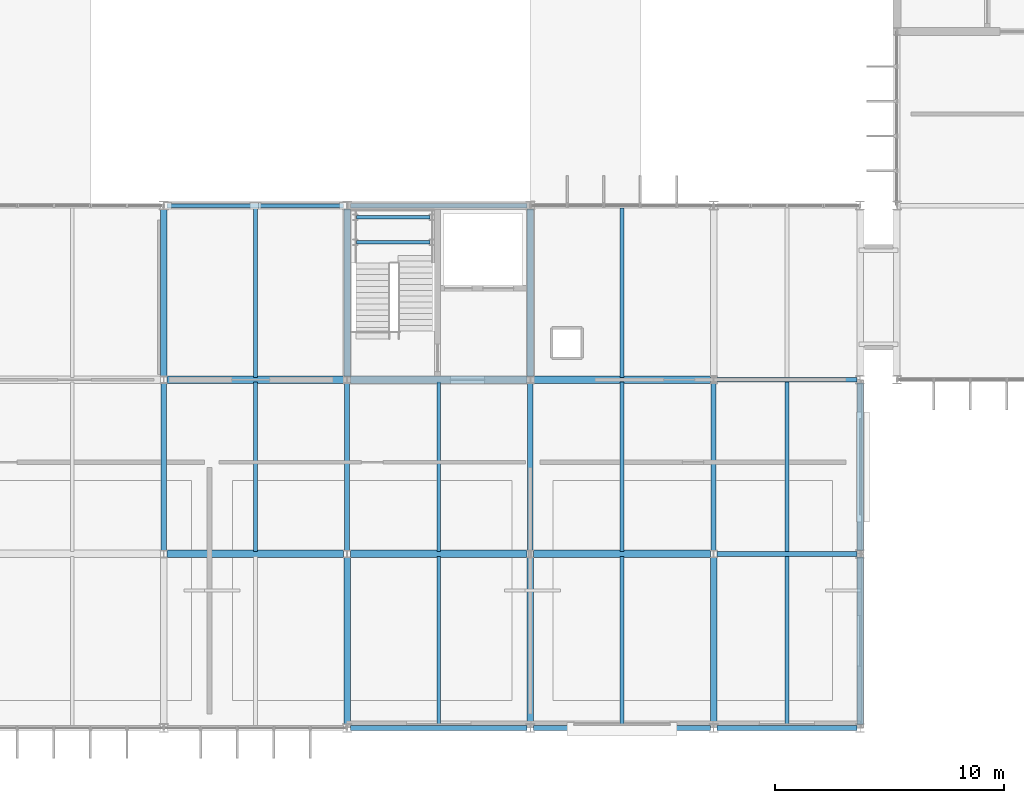
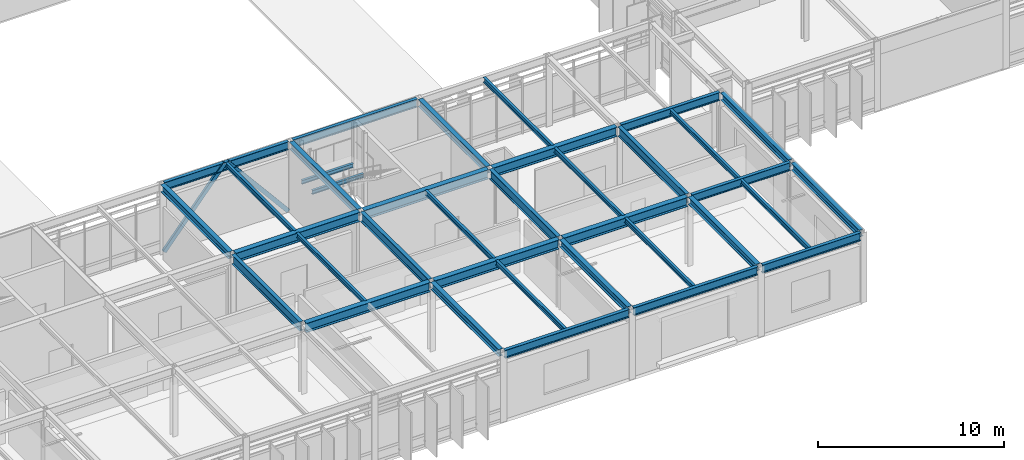
# One storey, part 29 of 100: 36 beams, 2 members.
"""IFC4 building model written with IfcOpenShell, lengths in metres."""

import ifcopenshell
import ifcopenshell.guid

model = None  # the IFC model being written
_history = None  # IfcOwnerHistory: only IFC2X3 demands one
_inside = {}  # id of a spatial element -> (the spatial element, [elements in it])
_under = {}  # id of a project, library or spatial element -> (it, [spatial elements below it])
_declared = {}  # id of a project -> (the project, [libraries it declares])
_typed = {}  # id of a type object -> (the type object, [elements of that type])
_made_of = {}  # id of a material, layer set ... -> (it, [elements and type objects made of it])


def new_model(schema):
    """Start an empty IFC model of exactly this schema.

    Asked for "IFC4X3", IfcOpenShell would pick the latest addendum, in which some entities
    have other attributes; the version numbers below select the first issue.
    IFC2X3 requires an IfcOwnerHistory on every rooted entity: one is made here for all.
    """
    global model, _history
    if schema == "IFC4X3":
        model = ifcopenshell.file(schema_version=(4, 3, 0, 0))
    else:
        model = ifcopenshell.file(schema=schema)
    _inside.clear()
    _under.clear()
    _declared.clear()
    _typed.clear()
    _made_of.clear()
    _history = None
    if model.schema == "IFC2X3":
        org = make("IfcOrganization", Name="unknown")
        user = make(
            "IfcPersonAndOrganization",
            ThePerson=make("IfcPerson", FamilyName="unknown"),
            TheOrganization=org,
        )
        app = make(
            "IfcApplication",
            ApplicationDeveloper=org,
            Version="unknown",
            ApplicationFullName="unknown",
            ApplicationIdentifier="unknown",
        )
        _history = make(
            "IfcOwnerHistory",
            OwningUser=user,
            OwningApplication=app,
            ChangeAction="ADDED",
            CreationDate=0,
        )
    return model


def make(cls, **values):
    """One entity of the class cls with the attributes given. An attribute that is None is left unset."""
    return model.create_entity(
        cls, **{name: value for name, value in values.items() if value is not None}
    )


def rooted(cls, **values):
    """An entity with a GlobalId (a new one), such as an element, a storey or a relation."""
    return make(cls, GlobalId=ifcopenshell.guid.new(), OwnerHistory=_history, **values)


def si_unit(unit_type, name, prefix=None):
    """IfcSIUnit, for example si_unit("LENGTHUNIT", "METRE", prefix="MILLI")."""
    return make("IfcSIUnit", UnitType=unit_type, Prefix=prefix, Name=name)


def assignment(units):
    """IfcUnitAssignment: the units of a project."""
    return None if units is None else make("IfcUnitAssignment", Units=units)


def point(xyz):
    """IfcCartesianPoint."""
    return None if xyz is None else make("IfcCartesianPoint", Coordinates=xyz)


def direction(xyz):
    """IfcDirection."""
    return None if xyz is None else make("IfcDirection", DirectionRatios=xyz)


def frame(location, z_axis=None, x_axis=None):
    """IfcAxis2Placement3D, a coordinate frame: its origin and axes. An axis left out is left unset."""
    return make(
        "IfcAxis2Placement3D",
        Location=point(location),
        Axis=direction(z_axis),
        RefDirection=direction(x_axis),
    )


def frame_2d(location, x_axis=None):
    """IfcAxis2Placement2D, a coordinate frame in the plane: its origin and x axis."""
    return make(
        "IfcAxis2Placement2D", Location=point(location), RefDirection=direction(x_axis)
    )


def origin():
    """The frame at (0, 0, 0) with its axes left unset."""
    return frame((0.0, 0.0, 0.0))


def origin_2d():
    """The frame at (0, 0) in the plane with its x axis left unset."""
    return frame_2d((0.0, 0.0))


def place(relative_to, where):
    """IfcLocalPlacement: puts the frame where relative to a parent placement (None: the world)."""
    return make(
        "IfcLocalPlacement", PlacementRelTo=relative_to, RelativePlacement=where
    )


def context(
    kind, dimensions, precision=None, world=None, true_north=None, identifier=None
):
    """IfcGeometricRepresentationContext, for example the 3D "Model" context."""
    return make(
        "IfcGeometricRepresentationContext",
        ContextIdentifier=identifier,
        ContextType=kind,
        CoordinateSpaceDimension=dimensions,
        Precision=precision,
        WorldCoordinateSystem=world,
        TrueNorth=true_north,
    )


def subcontext(parent, identifier, kind, view, scale=None):
    """IfcGeometricRepresentationSubContext, for example "Body" below "Model"."""
    return make(
        "IfcGeometricRepresentationSubContext",
        ContextIdentifier=identifier,
        ContextType=kind,
        ParentContext=parent,
        TargetScale=scale,
        TargetView=view,
    )


def project(units=None, contexts=None):
    """IfcProject with its units and contexts."""
    return rooted(
        "IfcProject",
        Name="project",
        RepresentationContexts=contexts,
        UnitsInContext=assignment(units),
    )


def spatial(cls, under=None, at=None, **own):
    """A site, building, storey or space (cls), placed at a placement, below another one or the project."""
    s = rooted(cls, ObjectPlacement=at, **own)
    if under is not None:
        _under.setdefault(under.id(), (under, []))[1].append(s)
    return s


def profile(cls, at=None, kind="AREA", **sizes):
    """A parametric profile (cls). Its sizes go by their IFC names, for example OverallWidth=200.0."""
    return make(cls, ProfileType=kind, Position=at, **sizes)


def hollow_rectangle(**sizes):
    """IfcRectangleHollowProfileDef."""
    return profile("IfcRectangleHollowProfileDef", **sizes)


def i_section(**sizes):
    """IfcIShapeProfileDef."""
    return profile("IfcIShapeProfileDef", **sizes)


def extrude(swept, where, along, depth):
    """IfcExtrudedAreaSolid: the profile swept, set in the frame where, extruded along a direction by depth."""
    return make(
        "IfcExtrudedAreaSolid",
        SweptArea=swept,
        Position=where,
        ExtrudedDirection=direction(along),
        Depth=depth,
    )


def shape(context_of_items, identifier, shape_type, items):
    """IfcShapeRepresentation: the items that make up one representation, for example the "Body"."""
    return make(
        "IfcShapeRepresentation",
        ContextOfItems=context_of_items,
        RepresentationIdentifier=identifier,
        RepresentationType=shape_type,
        Items=items,
    )


def material(Name=None, Category=None):
    """IfcMaterial."""
    return make("IfcMaterial", Name=Name, Category=Category)


def material_profile(
    of_material, cross_section, Name=None, Category=None, Priority=None
):
    """IfcMaterialProfile: a cross section and its material."""
    return make(
        "IfcMaterialProfile",
        Name=Name,
        Material=of_material,
        Profile=cross_section,
        Priority=Priority,
        Category=Category,
    )


def profile_set(profiles, Name=None, composite=None):
    """IfcMaterialProfileSet."""
    return make(
        "IfcMaterialProfileSet",
        Name=Name,
        MaterialProfiles=profiles,
        CompositeProfile=composite,
    )


def made_of(thing, what):
    """Note that an element or type object is made of a material, layer set ...; save() writes the relation."""
    if what is not None:
        _made_of.setdefault(what.id(), (what, []))[1].append(thing)
    return thing


def type_object(cls, material=None, **own):
    """A type object (cls), such as IfcWallType, which elements share."""
    return made_of(rooted(cls, **own), material)


def element(
    cls,
    number,
    at=None,
    inside=None,
    cuts=None,
    type_object=None,
    material=None,
    context=None,
    identifier="Body",
    shape_type=None,
    held_by="IfcProductDefinitionShape",
    body=None,
    shapes=None,
    **own,
):
    """One element of the class cls, such as IfcWall. Its Tag is "e" and its number.

    at: its placement. inside: the storey or other place that contains it. cuts: it is an
    opening in that element (IfcRelVoidsElement). A single representation is given by context,
    identifier, shape_type and body (its items); several are given by shapes. held_by: the class
    of the entity that holds the representations. save() writes the other relations.
    """
    e = rooted(cls, Tag="e%d" % number, ObjectPlacement=at, **own)
    if body is not None:
        shapes = [shape(context, identifier, shape_type, body)]
    if shapes is not None:
        e.Representation = make(held_by, Representations=shapes)
    if inside is not None:
        _inside.setdefault(inside.id(), (inside, []))[1].append(e)
    if cuts is not None:
        rooted(
            "IfcRelVoidsElement", RelatingBuildingElement=cuts, RelatedOpeningElement=e
        )
    if type_object is not None:
        _typed.setdefault(type_object.id(), (type_object, []))[1].append(e)
    return made_of(e, material)


def aggregate(whole, parts):
    """IfcRelAggregates: a whole, such as a stair, and the parts it consists of."""
    return rooted("IfcRelAggregates", RelatingObject=whole, RelatedObjects=parts)


def save(model, path):
    """Write the relations noted so far, then the file.

    IfcRelAggregates (storeys below a building ...), IfcRelContainedInSpatialStructure (elements
    in a storey), IfcRelDefinesByType, IfcRelAssociatesMaterial and IfcRelDeclares: one each for
    every whole, place, type object, material and project.
    """
    for whole, parts in _under.values():
        aggregate(whole, parts)
    for where, things in _inside.values():
        rooted(
            "IfcRelContainedInSpatialStructure",
            RelatedElements=things,
            RelatingStructure=where,
        )
    for kind, things in _typed.values():
        rooted("IfcRelDefinesByType", RelatedObjects=things, RelatingType=kind)
    for what, things in _made_of.values():
        rooted("IfcRelAssociatesMaterial", RelatedObjects=things, RelatingMaterial=what)
    for by, libraries in _declared.values():
        rooted("IfcRelDeclares", RelatingContext=by, RelatedDefinitions=libraries)
    model.write(path)


model = new_model("IFC4")

# Units and contexts
model_context = context("Model", 3, precision=1e-05, world=origin(), true_north=direction((0.0, 1.0)))
body_context = subcontext(model_context, "Body", "Model", "MODEL_VIEW")
ifc_project = project(units=[si_unit("LENGTHUNIT", "METRE"), si_unit("AREAUNIT", "SQUARE_METRE"), si_unit("VOLUMEUNIT", "CUBIC_METRE"), si_unit("PLANEANGLEUNIT", "RADIAN"), si_unit("MASSUNIT", "GRAM", prefix="KILO")], contexts=[model_context])

# Site, building, storey
site_placement = place(None, origin())
site = spatial("IfcSite", under=ifc_project, at=site_placement, CompositionType="ELEMENT")
building_placement = place(site_placement, origin())
building = spatial("IfcBuilding", under=site, at=building_placement, Name="Zulena Civic Courthouse", CompositionType="ELEMENT")
storey_placement = place(building_placement, frame((0.0, 0.0, 20.39990234375)))
storey = spatial("IfcBuildingStorey", under=building, at=storey_placement, Name="L04", CompositionType="ELEMENT", Elevation=20.39990234375)

# Members
ifc_material_1 = material(Name="Steel ASTM A500 Grade C", Category="steel")
ifc_material_profile_1 = material_profile(ifc_material_1, hollow_rectangle(XDim=0.152099609375, YDim=0.25390625, WallThickness=0.0087890625, at=origin_2d()), Name="HSS10X6X3/8")
ifc_profile_set_1 = profile_set([ifc_material_profile_1], Name="Steel ASTM A500 Grade C")
member_type = type_object("IfcMemberType", Name="Brace_HSS10X6", PredefinedType="BRACE", material=ifc_profile_set_1)
for number, where, z_axis, x_axis, name in (
    (1, (36.14990234375, 22.800048828125, 0.010009765625), (0.641014438311, 0.0, 0.767528820225), (0.0, 1.0, 0.0), "brace:V2:L04:1:0"),
    (2, (43.85009765625, 22.800048828125, 0.010009765625), (-0.641014438311, 0.0, 0.767528820225), (0.0, -1.0, 0.0), "brace:V2:L04:1:1"),
):
    element("IfcMember", number, at=place(storey_placement, frame(where, z_axis=z_axis, x_axis=x_axis)), inside=storey, type_object=member_type, Name=name, PredefinedType="BRACE", context=body_context, shape_type="SweptSolid", body=[
        extrude(hollow_rectangle(XDim=0.152099609375, YDim=0.25390625, WallThickness=0.0087890625, at=origin_2d()), origin(), (0.0, 0.0, 1.0), 5.92822265625),
    ])

# Beams
ifc_material_2 = material(Name="Steel ASTM A992 Grade 50", Category="steel")
ifc_material_profile_2 = material_profile(ifc_material_2, i_section(OverallWidth=0.324951171875, OverallDepth=0.615966796875, WebThickness=0.013916015625, FlangeThickness=0.021484375, FilletRadius=0.0126953125, at=origin_2d()), Name="W24X117")
ifc_profile_set_2 = profile_set([ifc_material_profile_2], Name="Steel ASTM A992 Grade 50")
beam_type_1 = type_object("IfcBeamType", Name="Girder_W24X117", PredefinedType="BEAM", material=ifc_profile_set_2)
for number, where, z_axis, x_axis, name in (
    (3, (36.14501953125, 7.60009765625, 4.287109375), (1.0, 0.0, 0.0), (0.0, 1.0, 0.0), "beam:X:V2:L04:7.6:36.0_44.0"),
    (4, (44.14501953125, 7.60009765625, 4.287109375), (1.0, 0.0, 0.0), (0.0, 1.0, 0.0), "beam:X:V2:L04:7.6:44.0_52.0"),
    (5, (52.14501953125, 7.60009765625, 4.287109375), (1.0, 0.0, 0.0), (0.0, 1.0, 0.0), "beam:X:V2:L04:7.6:52.0_60.0"),
    (6, (36.14501953125, 15.199951171875, 4.287109375), (1.0, 0.0, 0.0), (0.0, 1.0, 0.0), "beam:X:V2:L04:15.2:36.0_44.0"),
    (7, (44.14501953125, 15.199951171875, 4.287109375), (1.0, 0.0, 0.0), (0.0, 1.0, 0.0), "beam:X:V2:L04:15.2:44.0_52.0"),
    (8, (52.14501953125, 15.199951171875, 4.287109375), (1.0, 0.0, 0.0), (0.0, 1.0, 0.0), "beam:X:V2:L04:15.2:52.0_60.0"),
):
    element("IfcBeam", number, at=place(storey_placement, frame(where, z_axis=z_axis, x_axis=x_axis)), inside=storey, type_object=beam_type_1, Name=name, PredefinedType="BEAM", context=body_context, shape_type="SweptSolid", body=[
        extrude(i_section(OverallWidth=0.324951171875, OverallDepth=0.615966796875, WebThickness=0.013916015625, FlangeThickness=0.021484375, FilletRadius=0.0126953125, at=origin_2d()), origin(), (0.0, 0.0, 1.0), 7.7099609375),
    ])
ifc_material_profile_3 = material_profile(ifc_material_2, i_section(OverallWidth=0.22998046875, OverallDepth=0.616943359375, WebThickness=0.01318359375, FlangeThickness=0.022216796875, FilletRadius=0.0126953125, at=origin_2d()), Name="W24X94")
ifc_profile_set_3 = profile_set([ifc_material_profile_3], Name="Steel ASTM A992 Grade 50")
beam_type_2 = type_object("IfcBeamType", Name="Girder_W24X94", PredefinedType="BEAM", material=ifc_profile_set_3)
for number, where, z_axis, x_axis, name in (
    (9, (36.0, 7.7451171875, 4.28662109375), (0.0, 1.0, 0.0), (-1.0, 0.0, 0.0), "beam:Y:V2:L04:36.0:7.6_15.2"),
    (10, (44.0, 7.7451171875, 4.28662109375), (0.0, 1.0, 0.0), (-1.0, 0.0, 0.0), "beam:Y:V2:L04:44.0:7.6_15.2"),
    (11, (52.0, 7.7451171875, 4.28662109375), (0.0, 1.0, 0.0), (-1.0, 0.0, 0.0), "beam:Y:V2:L04:52.0:7.6_15.2"),
    (12, (60.0, 7.7451171875, 4.28662109375), (0.0, 1.0, 0.0), (-1.0, 0.0, 0.0), "beam:Y:V2:L04:60.0:7.6_15.2"),
):
    element("IfcBeam", number, at=place(storey_placement, frame(where, z_axis=z_axis, x_axis=x_axis)), inside=storey, type_object=beam_type_2, Name=name, PredefinedType="BEAM", context=body_context, shape_type="SweptSolid", body=[
        extrude(i_section(OverallWidth=0.22998046875, OverallDepth=0.616943359375, WebThickness=0.01318359375, FlangeThickness=0.022216796875, FilletRadius=0.0126953125, at=origin_2d()), origin(), (0.0, 0.0, 1.0), 7.309814453125),
    ])
ifc_material_profile_4 = material_profile(ifc_material_2, i_section(OverallWidth=0.14599609375, OverallDepth=0.258056640625, WebThickness=0.006103515625, FlangeThickness=0.009033203125, FilletRadius=0.007568359375, at=origin_2d()), Name="W10X22")
ifc_profile_set_4 = profile_set([ifc_material_profile_4], Name="Steel ASTM A992 Grade 50")
beam_type_3 = type_object("IfcBeamType", Name="Joist_W10X22", PredefinedType="JOIST", material=ifc_profile_set_4)
for number, where, z_axis, x_axis, name in (
    (13, (44.419921875, 21.199951171875, 1.9912109375), (1.0, 0.0, 0.0), (0.0, 1.0, 0.0), "beam:lnd:K2B:L04:0"),
    (14, (44.419921875, 22.300048828125, 1.9912109375), (1.0, 0.0, 0.0), (0.0, 1.0, 0.0), "beam:lnd:K2B:L04:1"),
):
    element("IfcBeam", number, at=place(storey_placement, frame(where, z_axis=z_axis, x_axis=x_axis)), inside=storey, type_object=beam_type_3, Name=name, PredefinedType="JOIST", context=body_context, shape_type="SweptSolid", body=[
        extrude(i_section(OverallWidth=0.14599609375, OverallDepth=0.258056640625, WebThickness=0.006103515625, FlangeThickness=0.009033203125, FilletRadius=0.007568359375, at=origin_2d()), origin(), (0.0, 0.0, 1.0), 3.2001953125),
    ])
ifc_material_profile_5 = material_profile(ifc_material_2, i_section(OverallWidth=0.1650390625, OverallDepth=0.31005859375, WebThickness=0.005859375, FlangeThickness=0.009765625, FilletRadius=0.009765625, at=origin_2d()), Name="W12X26")
ifc_profile_set_5 = profile_set([ifc_material_profile_5], Name="Steel ASTM A992 Grade 50")
beam_type_4 = type_object("IfcBeamType", Name="Joist_W12X26", PredefinedType="JOIST", material=ifc_profile_set_5)
beam_1_placement = place(storey_placement, frame((40.0, 7.705078125, 4.440185546875), z_axis=(0.0, 1.0, 0.0), x_axis=(-1.0, 0.0, 0.0)))
element("IfcBeam", 15, at=beam_1_placement, inside=storey, type_object=beam_type_4, Name="joist:V2:L04:40.00:7.6_15.2", PredefinedType="JOIST", context=body_context, shape_type="SweptSolid", body=[
    extrude(i_section(OverallWidth=0.1650390625, OverallDepth=0.31005859375, WebThickness=0.005859375, FlangeThickness=0.009765625, FilletRadius=0.009765625, at=origin_2d()), origin(), (0.0, 0.0, 1.0), 7.389892578125),
])
for number, where, z_axis, x_axis, name in (
    (16, (40.0, 15.304931640625, 4.440185546875), (0.0, 1.0, 0.0), (-1.0, 0.0, 0.0), "joist:V2:L04:40.00:15.2_22.8"),
    (17, (48.0, 0.10498046875, 4.440185546875), (0.0, 1.0, 0.0), (-1.0, 0.0, 0.0), "joist:V2:L04:48.00:0.0_7.6"),
):
    element("IfcBeam", number, at=place(storey_placement, frame(where, z_axis=z_axis, x_axis=x_axis)), inside=storey, type_object=beam_type_4, Name=name, PredefinedType="JOIST", context=body_context, shape_type="SweptSolid", body=[
        extrude(i_section(OverallWidth=0.1650390625, OverallDepth=0.31005859375, WebThickness=0.005859375, FlangeThickness=0.009765625, FilletRadius=0.009765625, at=origin_2d()), origin(), (0.0, 0.0, 1.0), 7.39013671875),
    ])
beam_2_placement = place(storey_placement, frame((48.0, 7.705078125, 4.440185546875), z_axis=(0.0, 1.0, 0.0), x_axis=(-1.0, 0.0, 0.0)))
element("IfcBeam", 18, at=beam_2_placement, inside=storey, type_object=beam_type_4, Name="joist:V2:L04:48.00:7.6_15.2", PredefinedType="JOIST", context=body_context, shape_type="SweptSolid", body=[
    extrude(i_section(OverallWidth=0.1650390625, OverallDepth=0.31005859375, WebThickness=0.005859375, FlangeThickness=0.009765625, FilletRadius=0.009765625, at=origin_2d()), origin(), (0.0, 0.0, 1.0), 7.389892578125),
])
beam_3_placement = place(storey_placement, frame((56.0, 0.10498046875, 4.440185546875), z_axis=(0.0, 1.0, 0.0), x_axis=(-1.0, 0.0, 0.0)))
element("IfcBeam", 19, at=beam_3_placement, inside=storey, type_object=beam_type_4, Name="joist:V2:L04:56.00:0.0_7.6", PredefinedType="JOIST", context=body_context, shape_type="SweptSolid", body=[
    extrude(i_section(OverallWidth=0.1650390625, OverallDepth=0.31005859375, WebThickness=0.005859375, FlangeThickness=0.009765625, FilletRadius=0.009765625, at=origin_2d()), origin(), (0.0, 0.0, 1.0), 7.39013671875),
])
beam_4_placement = place(storey_placement, frame((56.0, 7.705078125, 4.440185546875), z_axis=(0.0, 1.0, 0.0), x_axis=(-1.0, 0.0, 0.0)))
element("IfcBeam", 20, at=beam_4_placement, inside=storey, type_object=beam_type_4, Name="joist:V2:L04:56.00:7.6_15.2", PredefinedType="JOIST", context=body_context, shape_type="SweptSolid", body=[
    extrude(i_section(OverallWidth=0.1650390625, OverallDepth=0.31005859375, WebThickness=0.005859375, FlangeThickness=0.009765625, FilletRadius=0.009765625, at=origin_2d()), origin(), (0.0, 0.0, 1.0), 7.389892578125),
])
for number, where, z_axis, x_axis, name in (
    (21, (56.0, 15.304931640625, 4.440185546875), (0.0, 1.0, 0.0), (-1.0, 0.0, 0.0), "joist:V2:L04:56.00:15.2_22.8"),
    (22, (63.199951171875, 0.10498046875, 4.440185546875), (0.0, 1.0, 0.0), (-1.0, 0.0, 0.0), "joist:V2:L04:63.20:0.0_7.6"),
):
    element("IfcBeam", number, at=place(storey_placement, frame(where, z_axis=z_axis, x_axis=x_axis)), inside=storey, type_object=beam_type_4, Name=name, PredefinedType="JOIST", context=body_context, shape_type="SweptSolid", body=[
        extrude(i_section(OverallWidth=0.1650390625, OverallDepth=0.31005859375, WebThickness=0.005859375, FlangeThickness=0.009765625, FilletRadius=0.009765625, at=origin_2d()), origin(), (0.0, 0.0, 1.0), 7.39013671875),
    ])
beam_5_placement = place(storey_placement, frame((63.199951171875, 7.705078125, 4.440185546875), z_axis=(0.0, 1.0, 0.0), x_axis=(-1.0, 0.0, 0.0)))
element("IfcBeam", 23, at=beam_5_placement, inside=storey, type_object=beam_type_4, Name="joist:V2:L04:63.20:7.6_15.2", PredefinedType="JOIST", context=body_context, shape_type="SweptSolid", body=[
    extrude(i_section(OverallWidth=0.1650390625, OverallDepth=0.31005859375, WebThickness=0.005859375, FlangeThickness=0.009765625, FilletRadius=0.009765625, at=origin_2d()), origin(), (0.0, 0.0, 1.0), 7.389892578125),
])
ifc_material_profile_6 = material_profile(ifc_material_2, i_section(OverallWidth=0.280029296875, OverallDepth=0.462890625, WebThickness=0.0107421875, FlangeThickness=0.017333984375, FilletRadius=0.01025390625, at=origin_2d()), Name="W18X76")
ifc_profile_set_6 = profile_set([ifc_material_profile_6], Name="Steel ASTM A992 Grade 50")
beam_type_5 = type_object("IfcBeamType", Name="Spandrel_W18X76", PredefinedType="SPANDREL", material=ifc_profile_set_6)
for number, where, z_axis, x_axis, name in (
    (24, (36.0, 15.344970703125, 4.363525390625), (0.0, 1.0, 0.0), (-1.0, 0.0, 0.0), "beam:Y:V2:L04:36.0:15.2_22.8"),
    (25, (44.0, 0.14501953125, 4.363525390625), (0.0, 1.0, 0.0), (-1.0, 0.0, 0.0), "beam:Y:V2:L04:44.0:0.0_7.6"),
    (26, (44.0, 15.344970703125, 4.363525390625), (0.0, 1.0, 0.0), (-1.0, 0.0, 0.0), "beam:Y:V2:L04:44.0:15.2_22.8"),
    (27, (52.0, 0.14501953125, 4.363525390625), (0.0, 1.0, 0.0), (-1.0, 0.0, 0.0), "beam:Y:V2:L04:52.0:0.0_7.6"),
    (28, (52.0, 15.344970703125, 4.363525390625), (0.0, 1.0, 0.0), (-1.0, 0.0, 0.0), "beam:Y:V2:L04:52.0:15.2_22.8"),
    (29, (60.0, 0.14501953125, 4.363525390625), (0.0, 1.0, 0.0), (-1.0, 0.0, 0.0), "beam:Y:V2:L04:60.0:0.0_7.6"),
    (30, (66.39990234375, 0.14501953125, 4.363525390625), (0.0, 1.0, 0.0), (-1.0, 0.0, 0.0), "beam:Y:V2:L04:66.4:0.0_7.6"),
):
    element("IfcBeam", number, at=place(storey_placement, frame(where, z_axis=z_axis, x_axis=x_axis)), inside=storey, type_object=beam_type_5, Name=name, PredefinedType="SPANDREL", context=body_context, shape_type="SweptSolid", body=[
        extrude(i_section(OverallWidth=0.280029296875, OverallDepth=0.462890625, WebThickness=0.0107421875, FlangeThickness=0.017333984375, FilletRadius=0.01025390625, at=origin_2d()), origin(), (0.0, 0.0, 1.0), 7.31005859375),
    ])
beam_6_placement = place(storey_placement, frame((66.39990234375, 7.7451171875, 4.363525390625), z_axis=(0.0, 1.0, 0.0), x_axis=(-1.0, 0.0, 0.0)))
element("IfcBeam", 31, at=beam_6_placement, inside=storey, type_object=beam_type_5, Name="beam:Y:V2:L04:66.4:7.6_15.2", PredefinedType="SPANDREL", context=body_context, shape_type="SweptSolid", body=[
    extrude(i_section(OverallWidth=0.280029296875, OverallDepth=0.462890625, WebThickness=0.0107421875, FlangeThickness=0.017333984375, FilletRadius=0.01025390625, at=origin_2d()), origin(), (0.0, 0.0, 1.0), 7.309814453125),
])
ifc_material_profile_7 = material_profile(ifc_material_2, i_section(OverallWidth=0.2099609375, OverallDepth=0.537109375, WebThickness=0.010986328125, FlangeThickness=0.017333984375, FilletRadius=0.0126953125, at=origin_2d()), Name="W21X68")
ifc_profile_set_7 = profile_set([ifc_material_profile_7], Name="Steel ASTM A992 Grade 50")
beam_type_6 = type_object("IfcBeamType", Name="Spandrel_W21X68", PredefinedType="SPANDREL", material=ifc_profile_set_7)
for number, where, z_axis, x_axis, name in (
    (32, (44.14501953125, 0.0, 4.32666015625), (1.0, 0.0, 0.0), (0.0, 1.0, 0.0), "beam:X:V2:L04:0.0:44.0_52.0"),
    (33, (52.14501953125, 0.0, 4.32666015625), (1.0, 0.0, 0.0), (0.0, 1.0, 0.0), "beam:X:V2:L04:0.0:52.0_60.0"),
):
    element("IfcBeam", number, at=place(storey_placement, frame(where, z_axis=z_axis, x_axis=x_axis)), inside=storey, type_object=beam_type_6, Name=name, PredefinedType="SPANDREL", context=body_context, shape_type="SweptSolid", body=[
        extrude(i_section(OverallWidth=0.2099609375, OverallDepth=0.537109375, WebThickness=0.010986328125, FlangeThickness=0.017333984375, FilletRadius=0.0126953125, at=origin_2d()), origin(), (0.0, 0.0, 1.0), 7.7099609375),
    ])
for number, where, z_axis, x_axis, name in (
    (34, (60.14501953125, 0.0, 4.32666015625), (1.0, 0.0, 0.0), (0.0, 1.0, 0.0), "beam:X:V2:L04:0.0:60.0_66.4"),
    (35, (60.14501953125, 7.60009765625, 4.32666015625), (1.0, 0.0, 0.0), (0.0, 1.0, 0.0), "beam:X:V2:L04:7.6:60.0_66.4"),
    (36, (60.14501953125, 15.199951171875, 4.32666015625), (1.0, 0.0, 0.0), (0.0, 1.0, 0.0), "beam:X:V2:L04:15.2:60.0_66.4"),
):
    element("IfcBeam", number, at=place(storey_placement, frame(where, z_axis=z_axis, x_axis=x_axis)), inside=storey, type_object=beam_type_6, Name=name, PredefinedType="SPANDREL", context=body_context, shape_type="SweptSolid", body=[
        extrude(i_section(OverallWidth=0.2099609375, OverallDepth=0.537109375, WebThickness=0.010986328125, FlangeThickness=0.017333984375, FilletRadius=0.0126953125, at=origin_2d()), origin(), (0.0, 0.0, 1.0), 6.10986328125),
    ])
for number, where, z_axis, x_axis, name in (
    (37, (36.14501953125, 22.800048828125, 4.32666015625), (1.0, 0.0, 0.0), (0.0, 1.0, 0.0), "beam:X:V2:L04:22.8:36.0_44.0"),
    (38, (44.14501953125, 22.800048828125, 4.32666015625), (1.0, 0.0, 0.0), (0.0, 1.0, 0.0), "beam:X:V2:L04:22.8:44.0_52.0"),
):
    element("IfcBeam", number, at=place(storey_placement, frame(where, z_axis=z_axis, x_axis=x_axis)), inside=storey, type_object=beam_type_6, Name=name, PredefinedType="SPANDREL", context=body_context, shape_type="SweptSolid", body=[
        extrude(i_section(OverallWidth=0.2099609375, OverallDepth=0.537109375, WebThickness=0.010986328125, FlangeThickness=0.017333984375, FilletRadius=0.0126953125, at=origin_2d()), origin(), (0.0, 0.0, 1.0), 7.7099609375),
    ])

save(model, "model.ifc")
